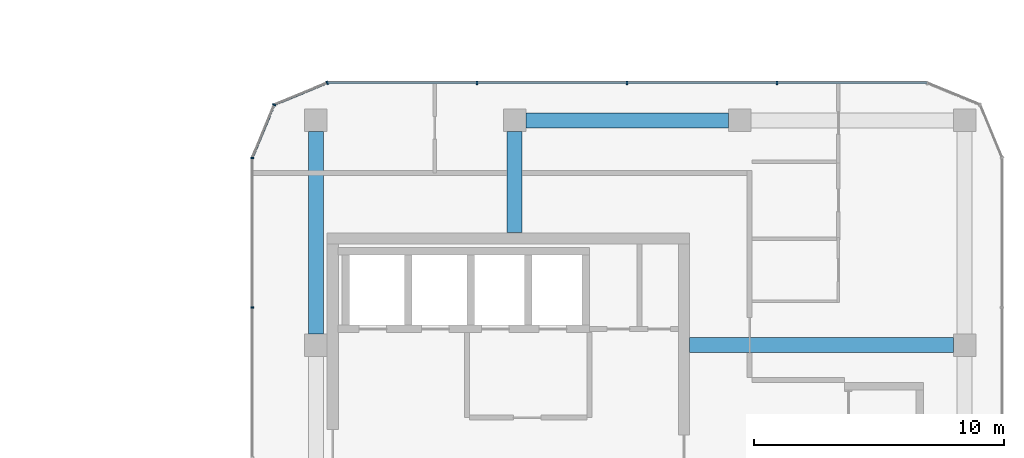
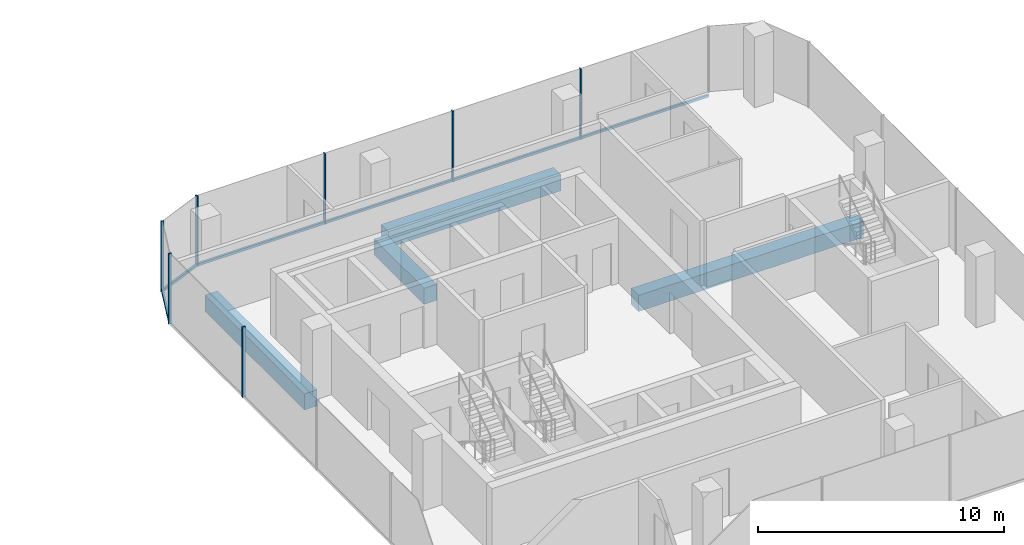
# One storey, part 9 of 22: 10 members, 4 beams, 4 elements without a shape of their own.
"""IFC4 building model written with IfcOpenShell, lengths in metres."""

from ifc_helpers import new_model, si_unit, direction, frame, origin, origin_2d, place, context, subcontext, project, spatial, rectangle, extrude, material, layer, layer_set, material_profile, profile_set, type_object, element, aggregate, save


model = new_model("IFC4")

# Units and contexts
model_context = context("Model", 3, precision=1e-05, world=origin(), true_north=direction((0.0, 1.0)))
body_context = subcontext(model_context, "Body", "Model", "MODEL_VIEW")
ifc_project = project(units=[si_unit("LENGTHUNIT", "METRE"), si_unit("AREAUNIT", "SQUARE_METRE"), si_unit("VOLUMEUNIT", "CUBIC_METRE"), si_unit("PLANEANGLEUNIT", "RADIAN"), si_unit("MASSUNIT", "GRAM", prefix="KILO")], contexts=[model_context])

# Site, building, storey
site_placement = place(None, origin())
site = spatial("IfcSite", under=ifc_project, at=site_placement, CompositionType="ELEMENT")
building_placement = place(site_placement, origin())
building = spatial("IfcBuilding", under=site, at=building_placement, Name="Plateau Cross Towers", CompositionType="ELEMENT")
storey_placement = place(building_placement, frame((0.0, 0.0, 65.300048828125)))
storey = spatial("IfcBuildingStorey", under=building, at=storey_placement, Name="L16", CompositionType="ELEMENT", Elevation=65.300048828125)

# Beams
ifc_material_1 = material(Name="Concrete C60/75", Category="concrete")
ifc_material_profile_1 = material_profile(ifc_material_1, rectangle(XDim=0.60009765625, YDim=0.800048828125, at=origin_2d()), Name="RC 600x800")
ifc_profile_set_1 = profile_set([ifc_material_profile_1], Name="Concrete C60/75")
beam_type_1 = type_object("IfcBeamType", Name="Core beam RC 600x800", PredefinedType="BEAM", material=ifc_profile_set_1)
beam_1_placement = place(storey_placement, frame((89.5, 13.5, -0.650146484375), z_axis=(1.0, 0.0, 0.0), x_axis=(0.0, 1.0, 0.0)))
element("IfcBeam", 1, at=beam_1_placement, inside=storey, type_object=beam_type_1, Name="B-CB03@L16", PredefinedType="BEAM", context=body_context, shape_type="SweptSolid", body=[
    extrude(rectangle(XDim=0.60009765625, YDim=0.800048828125, at=origin_2d()), origin(), (0.0, 0.0, 1.0), 10.550048828125),
])
beam_2_placement = place(storey_placement, frame((82.5, 18.0, -0.650146484375), z_axis=(0.0, 1.0, 0.0), x_axis=(-1.0, 0.0, 0.0)))
element("IfcBeam", 2, at=beam_2_placement, inside=storey, type_object=beam_type_1, Name="B-CB04@L16", PredefinedType="BEAM", context=body_context, shape_type="SweptSolid", body=[
    extrude(rectangle(XDim=0.60009765625, YDim=0.800048828125, at=origin_2d()), origin(), (0.0, 0.0, 1.0), 4.050048828125),
])

# Curtain wall, members
ifc_material_2 = material(Name="Dark low-iron glass", Category="glass")
ifc_layer = layer(ifc_material_2, 0.239990234375)
ifc_layer_set = layer_set([ifc_layer], Name="Dark low-iron glass")
curtain_wall_type = type_object("IfcCurtainWallType", Name="Curtain wall office unitised CW-F", PredefinedType="NOTDEFINED", material=ifc_layer_set)
curtain_wall_1_placement = place(storey_placement, origin())
curtain_wall_1 = element("IfcCurtainWall", 3, at=curtain_wall_1_placement, inside=storey, type_object=curtain_wall_type, Name="ENV/B/L16/B990_240", PredefinedType="NOTDEFINED")
ifc_material_3 = material(Name="Black anodised aluminium", Category="aluminium")
ifc_material_profile_2 = material_profile(ifc_material_3, rectangle(XDim=0.06005859375, YDim=0.139892578125, at=origin_2d()), Name="MULLION 60x140")
ifc_profile_set_2 = profile_set([ifc_material_profile_2], Name="Black anodised aluminium")
member_type_1 = type_object("IfcMemberType", Name="Mullion 60x140 office unitised", PredefinedType="MULLION", material=ifc_profile_set_2)
member_1_placement = place(storey_placement, frame((93.0, 24.0, -0.25), z_axis=(0.0, 0.0, 1.0), x_axis=(-1.0, 0.0, 0.0)))
member_1 = element("IfcMember", 4, at=member_1_placement, type_object=member_type_1, Name="CW-F mullion 2", PredefinedType="MULLION", context=body_context, shape_type="SweptSolid", body=[
    extrude(rectangle(XDim=0.06005859375, YDim=0.139892578125, at=origin_2d()), origin(), (0.0, 0.0, 1.0), 3.5),
])
member_2_placement = place(storey_placement, frame((87.0, 24.0, -0.25), z_axis=(0.0, 0.0, 1.0), x_axis=(-1.0, 0.0, 0.0)))
member_2 = element("IfcMember", 5, at=member_2_placement, type_object=member_type_1, Name="CW-F mullion 3", PredefinedType="MULLION", context=body_context, shape_type="SweptSolid", body=[
    extrude(rectangle(XDim=0.06005859375, YDim=0.139892578125, at=origin_2d()), origin(), (0.0, 0.0, 1.0), 3.5),
])
member_3_placement = place(storey_placement, frame((81.0, 24.0, -0.25), z_axis=(0.0, 0.0, 1.0), x_axis=(-1.0, 0.0, 0.0)))
member_3 = element("IfcMember", 6, at=member_3_placement, type_object=member_type_1, Name="CW-F mullion 4", PredefinedType="MULLION", context=body_context, shape_type="SweptSolid", body=[
    extrude(rectangle(XDim=0.06005859375, YDim=0.139892578125, at=origin_2d()), origin(), (0.0, 0.0, 1.0), 3.5),
])

# Curtain wall, member
curtain_wall_2_placement = place(storey_placement, origin())
curtain_wall_2 = element("IfcCurtainWall", 7, at=curtain_wall_2_placement, inside=storey, type_object=curtain_wall_type, Name="ENV/B/L16/B750_240", PredefinedType="NOTDEFINED")
member_4_placement = place(storey_placement, frame((75.0, 24.0, -0.25), z_axis=(0.0, 0.0, 1.0), x_axis=(-0.923879457699, -0.382683612978, 0.0)))
member_4 = element("IfcMember", 8, at=member_4_placement, type_object=member_type_1, Name="CW-F mullion 1", PredefinedType="MULLION", context=body_context, shape_type="SweptSolid", body=[
    extrude(rectangle(XDim=0.06005859375, YDim=0.139892578125, at=origin_2d()), origin(), (0.0, 0.0, 1.0), 3.5),
])

curtain_wall_3_placement = place(storey_placement, origin())
curtain_wall_3 = element("IfcCurtainWall", 9, at=curtain_wall_3_placement, inside=storey, type_object=curtain_wall_type, Name="ENV/B/L16/B729_231", PredefinedType="NOTDEFINED")
member_5_placement = place(storey_placement, frame((72.878662109375, 23.121337890625, -0.25), z_axis=(0.0, 0.0, 1.0), x_axis=(-0.382683612978, -0.923879457699, 0.0)))
member_5 = element("IfcMember", 10, at=member_5_placement, type_object=member_type_1, Name="CW-F mullion 1", PredefinedType="MULLION", context=body_context, shape_type="SweptSolid", body=[
    extrude(rectangle(XDim=0.06005859375, YDim=0.139892578125, at=origin_2d()), origin(), (0.0, 0.0, 1.0), 3.5),
])

# Curtain wall, members
curtain_wall_4_placement = place(storey_placement, origin())
curtain_wall_4 = element("IfcCurtainWall", 11, at=curtain_wall_4_placement, inside=storey, type_object=curtain_wall_type, Name="ENV/B/L16/B720_210", PredefinedType="NOTDEFINED")
member_6_placement = place(storey_placement, frame((72.0, 21.0, -0.25), z_axis=(0.0, 0.0, 1.0), x_axis=(0.0, -1.0, 0.0)))
member_6 = element("IfcMember", 12, at=member_6_placement, type_object=member_type_1, Name="CW-F mullion 1", PredefinedType="MULLION", context=body_context, shape_type="SweptSolid", body=[
    extrude(rectangle(XDim=0.06005859375, YDim=0.139892578125, at=origin_2d()), origin(), (0.0, 0.0, 1.0), 3.5),
])
member_7_placement = place(storey_placement, frame((72.0, 15.0, -0.25), z_axis=(0.0, 0.0, 1.0), x_axis=(0.0, -1.0, 0.0)))
member_7 = element("IfcMember", 13, at=member_7_placement, type_object=member_type_1, Name="CW-F mullion 2", PredefinedType="MULLION", context=body_context, shape_type="SweptSolid", body=[
    extrude(rectangle(XDim=0.06005859375, YDim=0.139892578125, at=origin_2d()), origin(), (0.0, 0.0, 1.0), 3.5),
])
aggregate(curtain_wall_4, [member_6, member_7])

# Beams
ifc_material_profile_3 = material_profile(ifc_material_1, rectangle(XDim=0.60009765625, YDim=0.800048828125, at=origin_2d()), Name="RC 600x800")
ifc_profile_set_3 = profile_set([ifc_material_profile_3], Name="Concrete C60/75")
beam_type_2 = type_object("IfcBeamType", Name="Ring beam RC 600x800", PredefinedType="BEAM", material=ifc_profile_set_3)
for number, where, z_axis, x_axis, name in (
    (14, (91.050048828125, 22.5, -0.650146484375), (-1.0, 0.0, 0.0), (0.0, -1.0, 0.0), "B-RB07@L16"),
    (15, (74.550048828125, 22.050048828125, -0.650146484375), (0.0, -1.0, 0.0), (1.0, 0.0, 0.0), "B-RB08@L16"),
):
    element("IfcBeam", number, at=place(storey_placement, frame(where, z_axis=z_axis, x_axis=x_axis)), inside=storey, type_object=beam_type_2, Name=name, PredefinedType="BEAM", context=body_context, shape_type="SweptSolid", body=[
        extrude(rectangle(XDim=0.60009765625, YDim=0.800048828125, at=origin_2d()), origin(), (0.0, 0.0, 1.0), 8.10009765625),
    ])

# Member
ifc_material_profile_4 = material_profile(ifc_material_3, rectangle(XDim=0.10009765625, YDim=0.1201171875, at=origin_2d()), Name="TRANSOM 100x120")
ifc_profile_set_4 = profile_set([ifc_material_profile_4], Name="Black anodised aluminium")
member_type_2 = type_object("IfcMemberType", Name="Transom 100x120 office unitised", PredefinedType="USERDEFINED", material=ifc_profile_set_4)
member_8_placement = place(storey_placement, frame((99.0, 24.0, -0.18994140625), z_axis=(-1.0, 0.0, 0.0), x_axis=(0.0, -1.0, 0.0)))
member_8 = element("IfcMember", 16, at=member_8_placement, type_object=member_type_2, Name="CW-F transom", ObjectType="TRANSOM", PredefinedType="USERDEFINED", context=body_context, shape_type="SweptSolid", body=[
    extrude(rectangle(XDim=0.10009765625, YDim=0.1201171875, at=origin_2d()), origin(), (0.0, 0.0, 1.0), 24.0),
])

aggregate(curtain_wall_1, [member_1, member_2, member_3, member_8])

member_9_placement = place(storey_placement, frame((75.0, 24.0, -0.18994140625), z_axis=(-0.923883353507, -0.382674207535, 0.0), x_axis=(0.382674207535, -0.923883353507, 0.0)))
member_9 = element("IfcMember", 17, at=member_9_placement, type_object=member_type_2, Name="CW-F transom", ObjectType="TRANSOM", PredefinedType="USERDEFINED", context=body_context, shape_type="SweptSolid", body=[
    extrude(rectangle(XDim=0.10009765625, YDim=0.1201171875, at=origin_2d()), origin(), (0.0, 0.0, 1.0), 2.296142578125),
])

aggregate(curtain_wall_2, [member_4, member_9])

member_10_placement = place(storey_placement, frame((72.878662109375, 23.121337890625, -0.18994140625), z_axis=(-0.382674207535, -0.923883353507, 0.0), x_axis=(0.923883353507, -0.382674207535, 0.0)))
member_10 = element("IfcMember", 18, at=member_10_placement, type_object=member_type_2, Name="CW-F transom", ObjectType="TRANSOM", PredefinedType="USERDEFINED", context=body_context, shape_type="SweptSolid", body=[
    extrude(rectangle(XDim=0.10009765625, YDim=0.1201171875, at=origin_2d()), origin(), (0.0, 0.0, 1.0), 2.296142578125),
])

aggregate(curtain_wall_3, [member_5, member_10])

save(model, "model.ifc")
